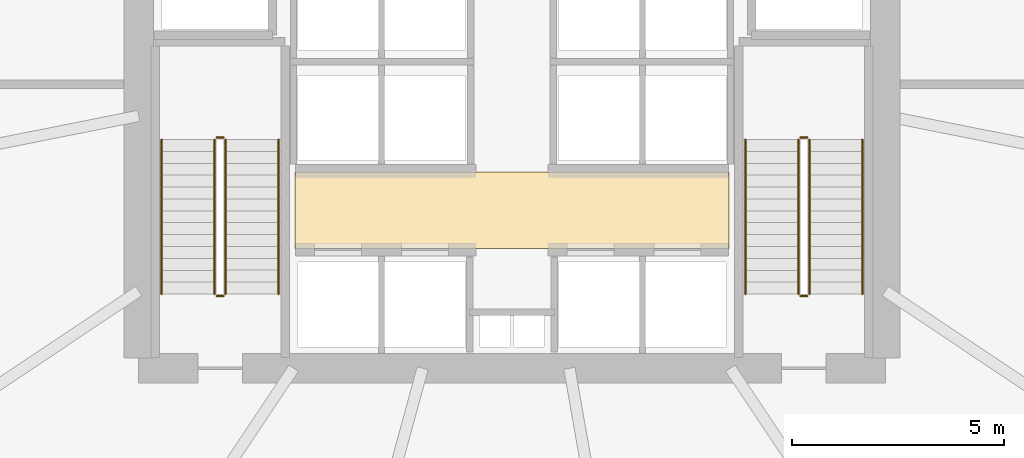
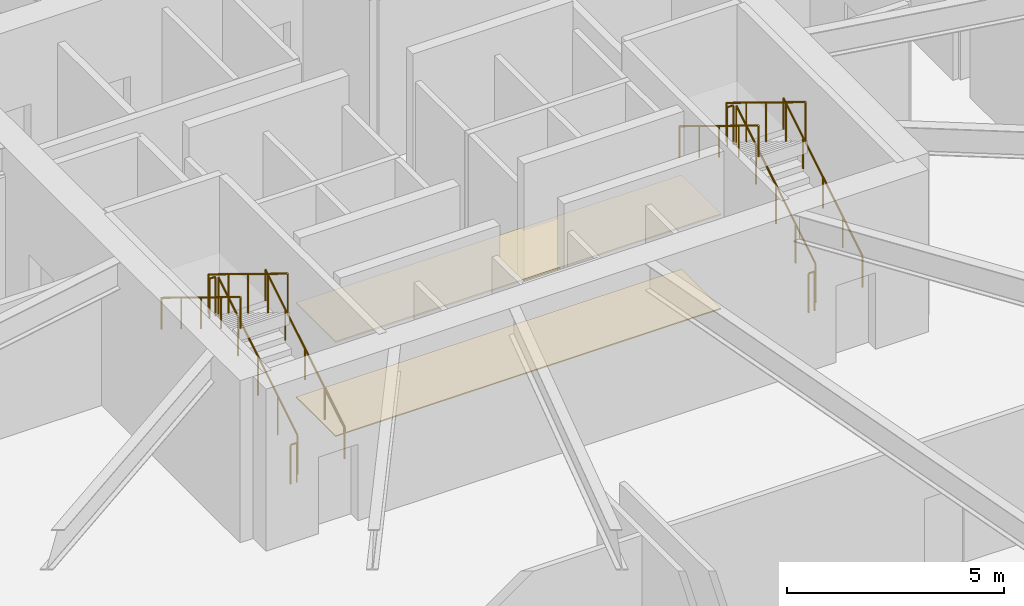
# One storey, part 31 of 34: 12 railings, 2 coverings.
"""IFC4 building model written with IfcOpenShell, lengths in metres."""

from ifc_helpers import new_model, si_unit, direction, frame, origin, origin_2d, place, context, subcontext, project, spatial, polyline, circle, outline, extrude, material, layer, layer_set, type_object, element, save


model = new_model("IFC4")

# Units and contexts
model_context = context("Model", 3, precision=1e-05, world=origin(), true_north=direction((0.0, 1.0)))
body_context = subcontext(model_context, "Body", "Model", "MODEL_VIEW")
ifc_project = project(units=[si_unit("LENGTHUNIT", "METRE"), si_unit("AREAUNIT", "SQUARE_METRE"), si_unit("VOLUMEUNIT", "CUBIC_METRE"), si_unit("PLANEANGLEUNIT", "RADIAN"), si_unit("MASSUNIT", "GRAM", prefix="KILO"), si_unit("THERMODYNAMICTEMPERATUREUNIT", "KELVIN")], contexts=[model_context])

# Site, building, storey
site_placement = place(None, origin())
site = spatial("IfcSite", under=ifc_project, at=site_placement, CompositionType="ELEMENT")
building_placement = place(site_placement, origin())
building = spatial("IfcBuilding", under=site, at=building_placement, Name="Kethvar Cultural Tower", CompositionType="ELEMENT")
storey_placement = place(building_placement, frame((0.0, 0.0, 5.199951171875)))
storey = spatial("IfcBuildingStorey", under=building, at=storey_placement, Name="L01", CompositionType="ELEMENT", Elevation=5.199951171875)

# Coverings
ifc_material_1 = material(Name="Acoustic Mineral Fibre Ceiling")
ifc_layer_1 = layer(ifc_material_1, 0.0400390625, Name="Acoustic Mineral Fibre Ceiling")
ifc_layer_set_1 = layer_set([ifc_layer_1], Name="Acoustic Mineral Fibre Ceiling (40 mm)")
covering_type_1 = type_object("IfcCoveringType", Name="CV-ACOUSTIC-CEIL", PredefinedType="CEILING", material=ifc_layer_set_1)
covering_1_placement = place(storey_placement, frame((0.0, 0.0, 2.64013671875)))
element("IfcCovering", 1, at=covering_1_placement, inside=storey, type_object=covering_type_1, Name="L01 Lift Lobby Acoustic Ceiling", PredefinedType="CEILING", context=body_context, shape_type="SweptSolid", body=[
    extrude(outline(polyline([(41.679931640625, 22.919921875), (51.919921875, 22.919921875), (51.919921875, 24.72998046875), (41.679931640625, 24.72998046875), (41.679931640625, 22.919921875)])), origin(), (0.0, 0.0, 1.0), 0.039794921875),
])
ifc_material_2 = material(Name="Honed Warm Limestone", Category="masonry")
ifc_layer_2 = layer(ifc_material_2, 0.030029296875, Name="Honed Warm Limestone", Category="masonry")
ifc_layer_set_2 = layer_set([ifc_layer_2], Name="Honed Warm Limestone (30 mm)")
covering_type_2 = type_object("IfcCoveringType", Name="CV-STONE-FLOOR", PredefinedType="FLOORING", material=ifc_layer_set_2)
covering_2_placement = place(storey_placement, origin())
element("IfcCovering", 2, at=covering_2_placement, inside=storey, type_object=covering_type_2, Name="L01 Lift Lobby Floor Finish", PredefinedType="FLOORING", context=body_context, shape_type="SweptSolid", body=[
    extrude(outline(polyline([(41.679931640625, 22.919921875), (51.919921875, 22.919921875), (51.919921875, 24.72998046875), (41.679931640625, 24.72998046875), (41.679931640625, 22.919921875)])), origin(), (0.0, 0.0, 1.0), 0.030029296875),
])

# Railings
ifc_material_3 = material(Name="Steel S355J2", Category="steel")
railing_type_1 = type_object("IfcRailingType", Name="RL-STAIR-GUARD", PredefinedType="BALUSTRADE", material=ifc_material_3)
railing_1_placement = place(storey_placement, frame((40.050048828125, 21.85009765625, 0.17138671875)))
element("IfcRailing", 3, at=railing_1_placement, inside=storey, type_object=railing_type_1, Name="L01 ST-01 stair guard 1", PredefinedType="BALUSTRADE", context=body_context, shape_type="SweptSolid", body=[
    extrude(circle(Radius=0.02392578125, at=origin_2d()), frame((0.0, 0.0, 1.09619140625), z_axis=(0.0, 0.852824790078, 0.522197163366), x_axis=(-1.0, 0.0, 0.0)), (0.0, 0.0, 1.0), 4.26806640625),
    extrude(circle(Radius=0.02099609375, at=origin_2d()), origin(), (0.0, 0.0, 1.0), 1.072021484375),
    extrude(circle(Radius=0.02099609375, at=origin_2d()), frame((0.0, 0.909912109375, 0.55712890625)), (0.0, 0.0, 1.0), 1.072021484375),
    extrude(circle(Radius=0.02099609375, at=origin_2d()), frame((0.0, 1.81982421875, 1.1142578125)), (0.0, 0.0, 1.0), 1.072021484375),
    extrude(circle(Radius=0.02099609375, at=origin_2d()), frame((0.0, 2.72998046875, 1.671630859375)), (0.0, 0.0, 1.0), 1.072021484375),
    extrude(circle(Radius=0.02099609375, at=origin_2d()), frame((0.0, 3.639892578125, 2.228759765625)), (0.0, 0.0, 1.0), 1.072021484375),
])
railing_2_placement = place(storey_placement, frame((40.0, 25.5400390625, 2.400146484375)))
element("IfcRailing", 4, at=railing_2_placement, inside=storey, type_object=railing_type_1, Name="L01 ST-01 stair guard 2", PredefinedType="BALUSTRADE", context=body_context, shape_type="SweptSolid", body=[
    extrude(circle(Radius=0.02392578125, at=origin_2d()), frame((0.0, 0.0, 1.09619140625), z_axis=(-1.0, 0.0, 0.0), x_axis=(0.0, -1.0, 0.0)), (0.0, 0.0, 1.0), 0.159912109375),
    extrude(circle(Radius=0.02099609375, at=origin_2d()), origin(), (0.0, 0.0, 1.0), 1.072021484375),
    extrude(circle(Radius=0.02099609375, at=origin_2d()), frame((-0.159912109375, 0.0, 0.0)), (0.0, 0.0, 1.0), 1.072021484375),
])
railing_3_placement = place(storey_placement, frame((39.7900390625, 25.489990234375, 2.571533203125)))
element("IfcRailing", 5, at=railing_3_placement, inside=storey, type_object=railing_type_1, Name="L01 ST-01 stair guard 3", PredefinedType="BALUSTRADE", context=body_context, shape_type="SweptSolid", body=[
    extrude(circle(Radius=0.02392578125, at=origin_2d()), frame((0.0, 0.0, 1.09619140625), z_axis=(0.0, -0.852850264322, 0.5221555579), x_axis=(1.0, 0.0, 0.0)), (0.0, 0.0, 1.0), 4.267822265625),
    extrude(circle(Radius=0.02099609375, at=origin_2d()), origin(), (0.0, 0.0, 1.0), 1.072021484375),
    extrude(circle(Radius=0.02099609375, at=origin_2d()), frame((0.0, -0.909912109375, 0.55712890625)), (0.0, 0.0, 1.0), 1.072021484375),
    extrude(circle(Radius=0.02099609375, at=origin_2d()), frame((0.0, -1.81982421875, 1.1142578125)), (0.0, 0.0, 1.0), 1.072021484375),
    extrude(circle(Radius=0.02099609375, at=origin_2d()), frame((0.0, -2.72998046875, 1.67138671875)), (0.0, 0.0, 1.0), 1.072021484375),
    extrude(circle(Radius=0.02099609375, at=origin_2d()), frame((0.0, -3.639892578125, 2.228515625)), (0.0, 0.0, 1.0), 1.072021484375),
])
railing_4_placement = place(storey_placement, frame((40.0, 21.800048828125, 0.0)))
element("IfcRailing", 6, at=railing_4_placement, inside=storey, type_object=railing_type_1, Name="L01 ST-01 stair guard 4", PredefinedType="BALUSTRADE", context=body_context, shape_type="SweptSolid", body=[
    extrude(circle(Radius=0.02392578125, at=origin_2d()), frame((0.0, 0.0, 1.09619140625), z_axis=(-1.0, 0.0, 0.0), x_axis=(0.0, -1.0, 0.0)), (0.0, 0.0, 1.0), 0.159912109375),
    extrude(circle(Radius=0.02099609375, at=origin_2d()), origin(), (0.0, 0.0, 1.0), 1.072021484375),
    extrude(circle(Radius=0.02099609375, at=origin_2d()), frame((-0.159912109375, 0.0, 0.0)), (0.0, 0.0, 1.0), 1.072021484375),
])
railing_5_placement = place(storey_placement, frame((53.81005859375, 21.85009765625, 0.17138671875)))
element("IfcRailing", 7, at=railing_5_placement, inside=storey, type_object=railing_type_1, Name="L01 ST-02 stair guard 1", PredefinedType="BALUSTRADE", context=body_context, shape_type="SweptSolid", body=[
    extrude(circle(Radius=0.02392578125, at=origin_2d()), frame((0.0, 0.0, 1.09619140625), z_axis=(0.0, 0.852824790078, 0.522197163366), x_axis=(-1.0, 0.0, 0.0)), (0.0, 0.0, 1.0), 4.26806640625),
    extrude(circle(Radius=0.02099609375, at=origin_2d()), origin(), (0.0, 0.0, 1.0), 1.072021484375),
    extrude(circle(Radius=0.02099609375, at=origin_2d()), frame((0.0, 0.909912109375, 0.55712890625)), (0.0, 0.0, 1.0), 1.072021484375),
    extrude(circle(Radius=0.02099609375, at=origin_2d()), frame((0.0, 1.81982421875, 1.1142578125)), (0.0, 0.0, 1.0), 1.072021484375),
    extrude(circle(Radius=0.02099609375, at=origin_2d()), frame((0.0, 2.72998046875, 1.671630859375)), (0.0, 0.0, 1.0), 1.072021484375),
    extrude(circle(Radius=0.02099609375, at=origin_2d()), frame((0.0, 3.639892578125, 2.228759765625)), (0.0, 0.0, 1.0), 1.072021484375),
])
railing_6_placement = place(storey_placement, frame((53.760009765625, 25.5400390625, 2.400146484375)))
element("IfcRailing", 8, at=railing_6_placement, inside=storey, type_object=railing_type_1, Name="L01 ST-02 stair guard 2", PredefinedType="BALUSTRADE", context=body_context, shape_type="SweptSolid", body=[
    extrude(circle(Radius=0.02392578125, at=origin_2d()), frame((0.0, 0.0, 1.09619140625), z_axis=(-1.0, 0.0, 0.0), x_axis=(0.0, -1.0, 0.0)), (0.0, 0.0, 1.0), 0.159912109375),
    extrude(circle(Radius=0.02099609375, at=origin_2d()), origin(), (0.0, 0.0, 1.0), 1.072021484375),
    extrude(circle(Radius=0.02099609375, at=origin_2d()), frame((-0.159912109375, 0.0, 0.0)), (0.0, 0.0, 1.0), 1.072021484375),
])
railing_7_placement = place(storey_placement, frame((53.550048828125, 25.489990234375, 2.571533203125)))
element("IfcRailing", 9, at=railing_7_placement, inside=storey, type_object=railing_type_1, Name="L01 ST-02 stair guard 3", PredefinedType="BALUSTRADE", context=body_context, shape_type="SweptSolid", body=[
    extrude(circle(Radius=0.02392578125, at=origin_2d()), frame((0.0, 0.0, 1.09619140625), z_axis=(0.0, -0.852850264322, 0.5221555579), x_axis=(1.0, 0.0, 0.0)), (0.0, 0.0, 1.0), 4.267822265625),
    extrude(circle(Radius=0.02099609375, at=origin_2d()), origin(), (0.0, 0.0, 1.0), 1.072021484375),
    extrude(circle(Radius=0.02099609375, at=origin_2d()), frame((0.0, -0.909912109375, 0.55712890625)), (0.0, 0.0, 1.0), 1.072021484375),
    extrude(circle(Radius=0.02099609375, at=origin_2d()), frame((0.0, -1.81982421875, 1.1142578125)), (0.0, 0.0, 1.0), 1.072021484375),
    extrude(circle(Radius=0.02099609375, at=origin_2d()), frame((0.0, -2.72998046875, 1.67138671875)), (0.0, 0.0, 1.0), 1.072021484375),
    extrude(circle(Radius=0.02099609375, at=origin_2d()), frame((0.0, -3.639892578125, 2.228515625)), (0.0, 0.0, 1.0), 1.072021484375),
])
railing_8_placement = place(storey_placement, frame((53.760009765625, 21.800048828125, 0.0)))
element("IfcRailing", 10, at=railing_8_placement, inside=storey, type_object=railing_type_1, Name="L01 ST-02 stair guard 4", PredefinedType="BALUSTRADE", context=body_context, shape_type="SweptSolid", body=[
    extrude(circle(Radius=0.02392578125, at=origin_2d()), frame((0.0, 0.0, 1.09619140625), z_axis=(-1.0, 0.0, 0.0), x_axis=(0.0, -1.0, 0.0)), (0.0, 0.0, 1.0), 0.159912109375),
    extrude(circle(Radius=0.02099609375, at=origin_2d()), origin(), (0.0, 0.0, 1.0), 1.072021484375),
    extrude(circle(Radius=0.02099609375, at=origin_2d()), frame((-0.159912109375, 0.0, 0.0)), (0.0, 0.0, 1.0), 1.072021484375),
])
railing_type_2 = type_object("IfcRailingType", Name="RL-STAIR-HANDRAIL", PredefinedType="HANDRAIL", material=ifc_material_3)
railing_9_placement = place(storey_placement, frame((41.300048828125, 21.85009765625, 0.17138671875)))
element("IfcRailing", 11, at=railing_9_placement, inside=storey, type_object=railing_type_2, Name="L01 ST-01 stair handrail 1", PredefinedType="HANDRAIL", context=body_context, shape_type="SweptSolid", body=[
    extrude(circle(Radius=0.02392578125, at=origin_2d()), frame((0.0, 0.0, 0.8759765625), z_axis=(0.0, 0.852824790078, 0.522197163366), x_axis=(-1.0, 0.0, 0.0)), (0.0, 0.0, 1.0), 4.26806640625),
    extrude(circle(Radius=0.02099609375, at=origin_2d()), origin(), (0.0, 0.0, 1.0), 0.851806640625),
    extrude(circle(Radius=0.02099609375, at=origin_2d()), frame((0.0, 0.909912109375, 0.55712890625)), (0.0, 0.0, 1.0), 0.851806640625),
    extrude(circle(Radius=0.02099609375, at=origin_2d()), frame((0.0, 1.81982421875, 1.1142578125)), (0.0, 0.0, 1.0), 0.851806640625),
    extrude(circle(Radius=0.02099609375, at=origin_2d()), frame((0.0, 2.72998046875, 1.671630859375)), (0.0, 0.0, 1.0), 0.851806640625),
    extrude(circle(Radius=0.02099609375, at=origin_2d()), frame((0.0, 3.639892578125, 2.228759765625)), (0.0, 0.0, 1.0), 0.851806640625),
])
railing_10_placement = place(storey_placement, frame((38.5400390625, 25.489990234375, 2.571533203125)))
element("IfcRailing", 12, at=railing_10_placement, inside=storey, type_object=railing_type_2, Name="L01 ST-01 stair handrail 2", PredefinedType="HANDRAIL", context=body_context, shape_type="SweptSolid", body=[
    extrude(circle(Radius=0.02392578125, at=origin_2d()), frame((0.0, 0.0, 0.8759765625), z_axis=(0.0, -0.852850264322, 0.5221555579), x_axis=(1.0, 0.0, 0.0)), (0.0, 0.0, 1.0), 4.267822265625),
    extrude(circle(Radius=0.02099609375, at=origin_2d()), origin(), (0.0, 0.0, 1.0), 0.851806640625),
    extrude(circle(Radius=0.02099609375, at=origin_2d()), frame((0.0, -0.909912109375, 0.55712890625)), (0.0, 0.0, 1.0), 0.851806640625),
    extrude(circle(Radius=0.02099609375, at=origin_2d()), frame((0.0, -1.81982421875, 1.1142578125)), (0.0, 0.0, 1.0), 0.851806640625),
    extrude(circle(Radius=0.02099609375, at=origin_2d()), frame((0.0, -2.72998046875, 1.67138671875)), (0.0, 0.0, 1.0), 0.851806640625),
    extrude(circle(Radius=0.02099609375, at=origin_2d()), frame((0.0, -3.639892578125, 2.228515625)), (0.0, 0.0, 1.0), 0.851806640625),
])
railing_11_placement = place(storey_placement, frame((55.06005859375, 21.85009765625, 0.17138671875)))
element("IfcRailing", 13, at=railing_11_placement, inside=storey, type_object=railing_type_2, Name="L01 ST-02 stair handrail 1", PredefinedType="HANDRAIL", context=body_context, shape_type="SweptSolid", body=[
    extrude(circle(Radius=0.02392578125, at=origin_2d()), frame((0.0, 0.0, 0.8759765625), z_axis=(0.0, 0.852824790078, 0.522197163366), x_axis=(-1.0, 0.0, 0.0)), (0.0, 0.0, 1.0), 4.26806640625),
    extrude(circle(Radius=0.02099609375, at=origin_2d()), origin(), (0.0, 0.0, 1.0), 0.851806640625),
    extrude(circle(Radius=0.02099609375, at=origin_2d()), frame((0.0, 0.909912109375, 0.55712890625)), (0.0, 0.0, 1.0), 0.851806640625),
    extrude(circle(Radius=0.02099609375, at=origin_2d()), frame((0.0, 1.81982421875, 1.1142578125)), (0.0, 0.0, 1.0), 0.851806640625),
    extrude(circle(Radius=0.02099609375, at=origin_2d()), frame((0.0, 2.72998046875, 1.671630859375)), (0.0, 0.0, 1.0), 0.851806640625),
    extrude(circle(Radius=0.02099609375, at=origin_2d()), frame((0.0, 3.639892578125, 2.228759765625)), (0.0, 0.0, 1.0), 0.851806640625),
])
railing_12_placement = place(storey_placement, frame((52.300048828125, 25.489990234375, 2.571533203125)))
element("IfcRailing", 14, at=railing_12_placement, inside=storey, type_object=railing_type_2, Name="L01 ST-02 stair handrail 2", PredefinedType="HANDRAIL", context=body_context, shape_type="SweptSolid", body=[
    extrude(circle(Radius=0.02392578125, at=origin_2d()), frame((0.0, 0.0, 0.8759765625), z_axis=(0.0, -0.852850264322, 0.5221555579), x_axis=(1.0, 0.0, 0.0)), (0.0, 0.0, 1.0), 4.267822265625),
    extrude(circle(Radius=0.02099609375, at=origin_2d()), origin(), (0.0, 0.0, 1.0), 0.851806640625),
    extrude(circle(Radius=0.02099609375, at=origin_2d()), frame((0.0, -0.909912109375, 0.55712890625)), (0.0, 0.0, 1.0), 0.851806640625),
    extrude(circle(Radius=0.02099609375, at=origin_2d()), frame((0.0, -1.81982421875, 1.1142578125)), (0.0, 0.0, 1.0), 0.851806640625),
    extrude(circle(Radius=0.02099609375, at=origin_2d()), frame((0.0, -2.72998046875, 1.67138671875)), (0.0, 0.0, 1.0), 0.851806640625),
    extrude(circle(Radius=0.02099609375, at=origin_2d()), frame((0.0, -3.639892578125, 2.228515625)), (0.0, 0.0, 1.0), 0.851806640625),
])

save(model, "model.ifc")
